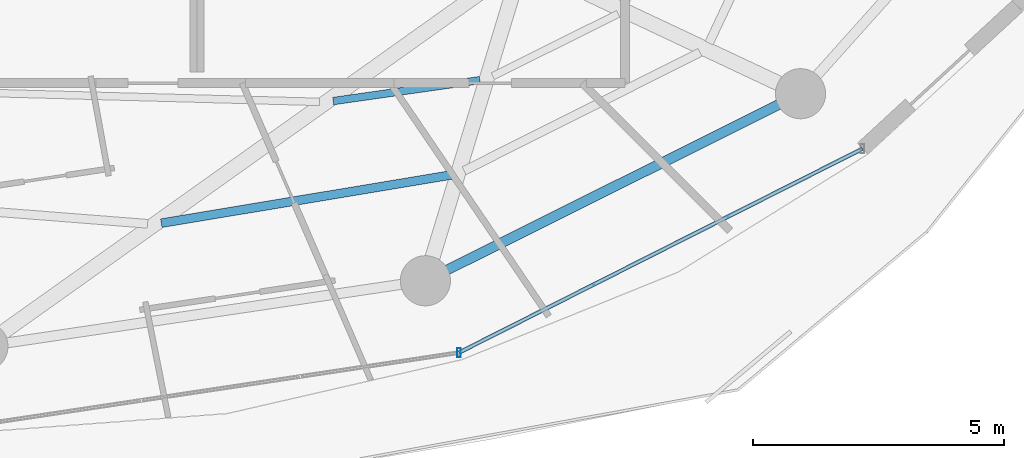
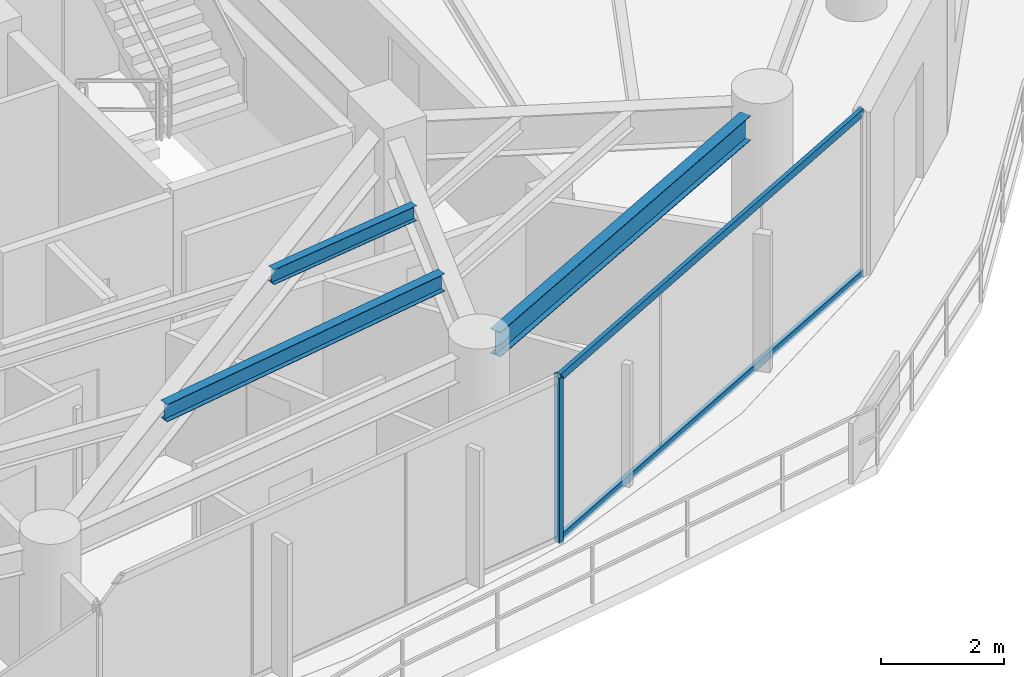
# One storey, part 11 of 31: 3 beams, 3 members, 1 element without a shape of its own.
"""IFC4 building model written with IfcOpenShell, lengths in metres."""

from ifc_helpers import new_model, si_unit, direction, frame, origin, origin_2d, place, context, subcontext, project, spatial, hollow_rectangle, i_section, extrude, material, material_profile, profile_set, type_object, element, aggregate, save


model = new_model("IFC4")

# Units and contexts
model_context = context("Model", 3, precision=1e-05, world=origin(), true_north=direction((0.0, 1.0)))
body_context = subcontext(model_context, "Body", "Model", "MODEL_VIEW")
ifc_project = project(units=[si_unit("LENGTHUNIT", "METRE"), si_unit("AREAUNIT", "SQUARE_METRE"), si_unit("VOLUMEUNIT", "CUBIC_METRE"), si_unit("PLANEANGLEUNIT", "RADIAN"), si_unit("MASSUNIT", "GRAM", prefix="KILO")], contexts=[model_context])

# Site, building, storey
site_placement = place(None, origin())
site = spatial("IfcSite", under=ifc_project, at=site_placement, CompositionType="ELEMENT")
building_placement = place(site_placement, origin())
building = spatial("IfcBuilding", under=site, at=building_placement, Name="Vorneva Point Tower", CompositionType="ELEMENT")
storey_placement = place(building_placement, frame((0.0, 0.0, 132.60009765625)))
storey = spatial("IfcBuildingStorey", under=building, at=storey_placement, Name="L35", CompositionType="ELEMENT", Elevation=132.60009765625)

# Beams
ifc_material_1 = material(Name="Steel S355", Category="steel")
ifc_material_profile_1 = material_profile(ifc_material_1, i_section(OverallWidth=0.14892578125, OverallDepth=0.298095703125, WebThickness=0.005615234375, FlangeThickness=0.008056640625, at=origin_2d()), Name="30B1")
ifc_profile_set_1 = profile_set([ifc_material_profile_1], Name="Steel S355")
beam_type_1 = type_object("IfcBeamType", Name="BM-JST-30B1", PredefinedType="JOIST", material=ifc_profile_set_1)
beam_1_placement = place(storey_placement, frame((44.982421875, 13.691162109375, 3.0908203125), z_axis=(0.989997374547, 0.1410857838, 0.0), x_axis=(-0.1410857838, 0.989997374547, 0.0)))
element("IfcBeam", 1, at=beam_1_placement, inside=storey, type_object=beam_type_1, Name="L35 Secondary Floor Beam 2.13", PredefinedType="JOIST", context=body_context, shape_type="SweptSolid", body=[
    extrude(i_section(OverallWidth=0.14892578125, OverallDepth=0.298095703125, WebThickness=0.005615234375, FlangeThickness=0.008056640625, at=origin_2d()), origin(), (0.0, 0.0, 1.0), 2.953857421875),
])
ifc_material_profile_2 = material_profile(ifc_material_1, i_section(OverallWidth=0.174072265625, OverallDepth=0.345947265625, WebThickness=0.006103515625, FlangeThickness=0.009033203125, at=origin_2d()), Name="35B1")
ifc_profile_set_2 = profile_set([ifc_material_profile_2], Name="Steel S355")
beam_type_2 = type_object("IfcBeamType", Name="BM-SEC-35B1", PredefinedType="BEAM", material=ifc_profile_set_2)
beam_2_placement = place(storey_placement, frame((41.556396484375, 11.256591796875, 3.06689453125), z_axis=(0.986432205362, 0.164169132986, 0.0), x_axis=(-0.164169132986, 0.986432205362, 0.0)))
element("IfcBeam", 2, at=beam_2_placement, inside=storey, type_object=beam_type_2, Name="L35 Secondary Floor Beam 1.13", PredefinedType="BEAM", context=body_context, shape_type="SweptSolid", body=[
    extrude(i_section(OverallWidth=0.174072265625, OverallDepth=0.345947265625, WebThickness=0.006103515625, FlangeThickness=0.009033203125, at=origin_2d()), origin(), (0.0, 0.0, 1.0), 5.856201171875),
])
ifc_material_profile_3 = material_profile(ifc_material_1, i_section(OverallWidth=0.199951171875, OverallDepth=0.491943359375, WebThickness=0.0087890625, FlangeThickness=0.011962890625, at=origin_2d()), Name="50B1")
ifc_profile_set_3 = profile_set([ifc_material_profile_3], Name="Steel S355")
beam_type_3 = type_object("IfcBeamType", Name="BM-SPN-50B1", PredefinedType="SPANDREL", material=ifc_profile_set_3)
beam_3_placement = place(storey_placement, frame((47.2548828125, 10.32568359375, 2.993896484375), z_axis=(0.894929061397, 0.446208443518, 0.0), x_axis=(-0.446208443518, 0.894929061397, 0.0)))
element("IfcBeam", 3, at=beam_3_placement, inside=storey, type_object=beam_type_3, Name="L35 Perimeter Spandrel Ring Beam 14", PredefinedType="SPANDREL", context=body_context, shape_type="SweptSolid", body=[
    extrude(i_section(OverallWidth=0.199951171875, OverallDepth=0.491943359375, WebThickness=0.0087890625, FlangeThickness=0.011962890625, at=origin_2d()), origin(), (0.0, 0.0, 1.0), 7.385986328125),
])

# Curtain wall, members
ifc_material_2 = material(Name="Pale anodised aluminium", Category="aluminium")
curtain_wall_type = type_object("IfcCurtainWallType", Name="CW-RES-SYS", PredefinedType="NOTDEFINED", material=ifc_material_2)
curtain_wall_placement = place(storey_placement, origin())
curtain_wall = element("IfcCurtainWall", 4, at=curtain_wall_placement, inside=storey, type_object=curtain_wall_type, Name="L35 Unitised Curtain Wall CW-L35-R04", PredefinedType="NOTDEFINED")
ifc_material_profile_4 = material_profile(ifc_material_2, hollow_rectangle(XDim=0.074951171875, YDim=0.179931640625, WallThickness=0.00390625, at=origin_2d()), Name="AL-MUL 180x75x4")
ifc_profile_set_4 = profile_set([ifc_material_profile_4], Name="Pale anodised aluminium")
member_type_1 = type_object("IfcMemberType", Name="CW-MUL-180", PredefinedType="MULLION", material=ifc_profile_set_4)
member_1_placement = place(storey_placement, frame((47.490478515625, 8.67724609375, -0.0400390625), z_axis=(0.0, 0.0, 1.0), x_axis=(1.0, 0.0, 0.0)))
member_1 = element("IfcMember", 5, at=member_1_placement, type_object=member_type_1, Name="CW-L35-R04 Mullion 04", PredefinedType="MULLION", context=body_context, shape_type="SweptSolid", body=[
    extrude(hollow_rectangle(XDim=0.074951171875, YDim=0.179931640625, WallThickness=0.00390625, at=origin_2d()), origin(), (0.0, 0.0, 1.0), 3.31005859375),
])
ifc_material_profile_5 = material_profile(ifc_material_2, hollow_rectangle(XDim=0.074951171875, YDim=0.14990234375, WallThickness=0.00390625, at=origin_2d()), Name="AL-TRN 150x75x4")
ifc_profile_set_5 = profile_set([ifc_material_profile_5], Name="Pale anodised aluminium")
member_type_2 = type_object("IfcMemberType", Name="CW-TRN-150", PredefinedType="USERDEFINED", material=ifc_profile_set_5)
member_2_placement = place(storey_placement, frame((47.490478515625, 8.67724609375, 0.02001953125), z_axis=(0.892572392955, 0.450904117673, 0.0), x_axis=(-0.450904117673, 0.892572392955, 0.0)))
member_2 = element("IfcMember", 6, at=member_2_placement, type_object=member_type_2, Name="CW-L35-R04 Transom 04.1", ObjectType="TRANSOM", PredefinedType="USERDEFINED", context=body_context, shape_type="SweptSolid", body=[
    extrude(hollow_rectangle(XDim=0.074951171875, YDim=0.14990234375, WallThickness=0.00390625, at=origin_2d()), origin(), (0.0, 0.0, 1.0), 9.013916015625),
])
member_3_placement = place(storey_placement, frame((47.490478515625, 8.67724609375, 3.219970703125), z_axis=(0.892572392955, 0.450904117673, 0.0), x_axis=(-0.450904117673, 0.892572392955, 0.0)))
member_3 = element("IfcMember", 7, at=member_3_placement, type_object=member_type_2, Name="CW-L35-R04 Transom 04.2", ObjectType="TRANSOM", PredefinedType="USERDEFINED", context=body_context, shape_type="SweptSolid", body=[
    extrude(hollow_rectangle(XDim=0.074951171875, YDim=0.14990234375, WallThickness=0.00390625, at=origin_2d()), origin(), (0.0, 0.0, 1.0), 9.013916015625),
])
aggregate(curtain_wall, [member_1, member_2, member_3])

save(model, "model.ifc")
